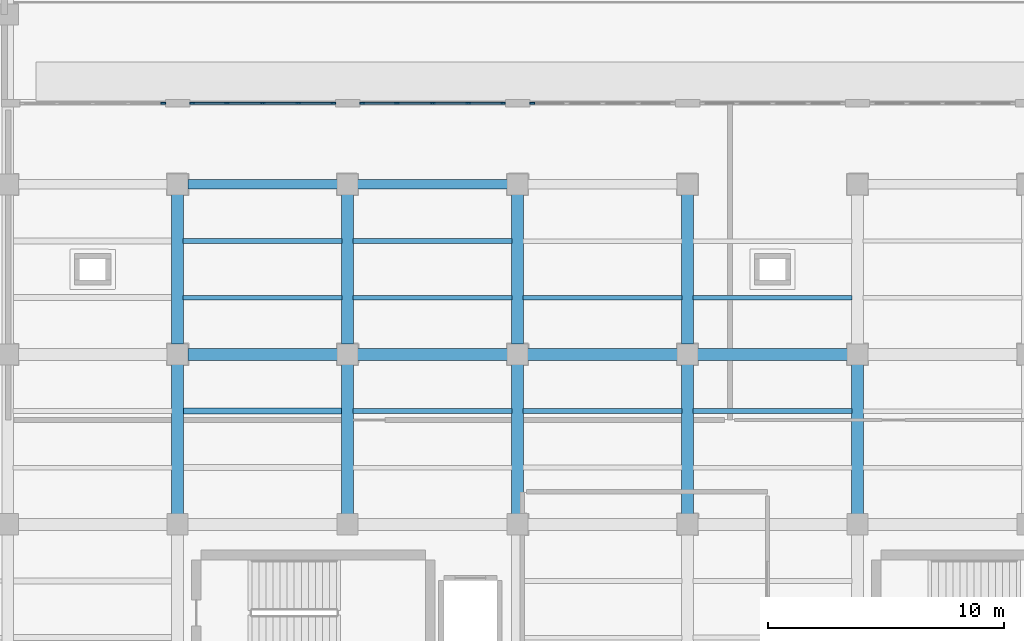
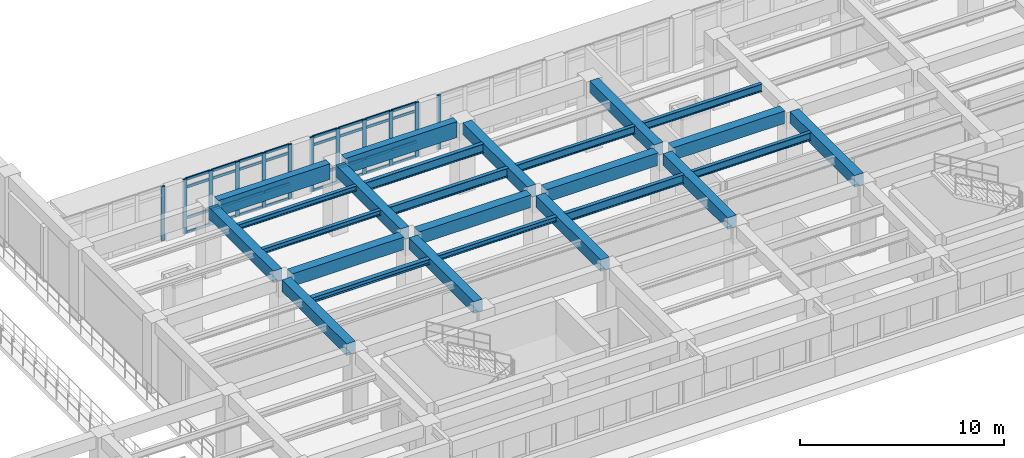
# One storey, part 13 of 69: 44 members, 25 beams, 4 elements without a shape of their own.
"""IFC4 building model written with IfcOpenShell, lengths in metres."""

from ifc_helpers import new_model, si_unit, direction, frame, origin, origin_2d, place, context, subcontext, project, spatial, rectangle, i_section, extrude, material, layer, layer_set, material_profile, profile_set, type_object, element, aggregate, save


model = new_model("IFC4")

# Units and contexts
model_context = context("Model", 3, precision=1e-05, world=origin(), true_north=direction((0.0, 1.0)))
body_context = subcontext(model_context, "Body", "Model", "MODEL_VIEW")
ifc_project = project(units=[si_unit("LENGTHUNIT", "METRE"), si_unit("AREAUNIT", "SQUARE_METRE"), si_unit("VOLUMEUNIT", "CUBIC_METRE"), si_unit("PLANEANGLEUNIT", "RADIAN"), si_unit("MASSUNIT", "GRAM", prefix="KILO")], contexts=[model_context])

# Site, building, storey
site_placement = place(None, origin())
site = spatial("IfcSite", under=ifc_project, at=site_placement, CompositionType="ELEMENT")
building_placement = place(site_placement, origin())
building = spatial("IfcBuilding", under=site, at=building_placement, Name="Solenvale Faculty of Natural Sciences", CompositionType="ELEMENT")
storey_placement = place(building_placement, frame((0.0, 0.0, 4.5)))
storey = spatial("IfcBuildingStorey", under=building, at=storey_placement, Name="L01", CompositionType="ELEMENT", Elevation=4.5)

# Beams
ifc_material_1 = material(Name="Concrete 40 MPa", Category="concrete")
ifc_material_profile_1 = material_profile(ifc_material_1, rectangle(XDim=0.5, YDim=0.699951171875, at=origin_2d()), Name="RC-BM-500x700")
ifc_profile_set_1 = profile_set([ifc_material_profile_1], Name="Concrete 40 MPa")
beam_type_1 = type_object("IfcBeamType", Name="BM-RC-500x700", PredefinedType="BEAM", material=ifc_profile_set_1)
for number, where, z_axis, x_axis, name in (
    (1, (64.800048828125, 29.22998046875, 3.8701171875), (0.0, 1.0, 0.0), (-1.0, 0.0, 0.0), "L01 Y-Girder X64.8 (28.8..36.0)"),
    (2, (64.800048828125, 36.429931640625, 3.8701171875), (0.0, 1.0, 0.0), (-1.0, 0.0, 0.0), "L01 Y-Girder X64.8 (36.0..43.2)"),
    (3, (72.0, 29.22998046875, 3.8701171875), (0.0, 1.0, 0.0), (-1.0, 0.0, 0.0), "L01 Y-Girder X72.0 (28.8..36.0)"),
    (4, (72.0, 36.429931640625, 3.8701171875), (0.0, 1.0, 0.0), (-1.0, 0.0, 0.0), "L01 Y-Girder X72.0 (36.0..43.2)"),
    (5, (79.199951171875, 29.22998046875, 3.8701171875), (0.0, 1.0, 0.0), (-1.0, 0.0, 0.0), "L01 Y-Girder X79.2 (28.8..36.0)"),
    (6, (79.199951171875, 36.429931640625, 3.8701171875), (0.0, 1.0, 0.0), (-1.0, 0.0, 0.0), "L01 Y-Girder X79.2 (36.0..43.2)"),
    (7, (86.39990234375, 29.22998046875, 3.8701171875), (0.0, 1.0, 0.0), (-1.0, 0.0, 0.0), "L01 Y-Girder X86.4 (28.8..36.0)"),
    (8, (86.39990234375, 36.429931640625, 3.8701171875), (0.0, 1.0, 0.0), (-1.0, 0.0, 0.0), "L01 Y-Girder X86.4 (36.0..43.2)"),
    (9, (93.60009765625, 29.22998046875, 3.8701171875), (0.0, 1.0, 0.0), (-1.0, 0.0, 0.0), "L01 Y-Girder X93.6 (28.8..36.0)"),
):
    element("IfcBeam", number, at=place(storey_placement, frame(where, z_axis=z_axis, x_axis=x_axis)), inside=storey, type_object=beam_type_1, Name=name, PredefinedType="BEAM", context=body_context, shape_type="SweptSolid", body=[
        extrude(rectangle(XDim=0.5, YDim=0.699951171875, at=origin_2d()), origin(), (0.0, 0.0, 1.0), 6.340087890625),
    ])
ifc_material_profile_2 = material_profile(ifc_material_1, rectangle(XDim=0.5, YDim=0.75, at=origin_2d()), Name="RC-BM-500x750")
ifc_profile_set_2 = profile_set([ifc_material_profile_2], Name="Concrete 40 MPa")
beam_type_2 = type_object("IfcBeamType", Name="BM-RC-500x750", PredefinedType="BEAM", material=ifc_profile_set_2)
for number, where, z_axis, x_axis, name in (
    (10, (65.22998046875, 36.0, 3.844970703125), (1.0, 0.0, 0.0), (0.0, 1.0, 0.0), "L01 X-Girder Y36.0 (64.8..72.0)"),
    (11, (72.429931640625, 36.0, 3.844970703125), (1.0, 0.0, 0.0), (0.0, 1.0, 0.0), "L01 X-Girder Y36.0 (72.0..79.2)"),
    (12, (79.6298828125, 36.0, 3.844970703125), (1.0, 0.0, 0.0), (0.0, 1.0, 0.0), "L01 X-Girder Y36.0 (79.2..86.4)"),
):
    element("IfcBeam", number, at=place(storey_placement, frame(where, z_axis=z_axis, x_axis=x_axis)), inside=storey, type_object=beam_type_2, Name=name, PredefinedType="BEAM", context=body_context, shape_type="SweptSolid", body=[
        extrude(rectangle(XDim=0.5, YDim=0.75, at=origin_2d()), origin(), (0.0, 0.0, 1.0), 6.340087890625),
    ])
beam_1_placement = place(storey_placement, frame((86.830078125, 36.0, 3.844970703125), z_axis=(1.0, 0.0, 0.0), x_axis=(0.0, 1.0, 0.0)))
element("IfcBeam", 13, at=beam_1_placement, inside=storey, type_object=beam_type_2, Name="L01 X-Girder Y36.0 (86.4..93.6)", PredefinedType="BEAM", context=body_context, shape_type="SweptSolid", body=[
    extrude(rectangle(XDim=0.5, YDim=0.75, at=origin_2d()), origin(), (0.0, 0.0, 1.0), 6.33984375),
])
ifc_material_2 = material(Name="Architectural bronze concrete 40 MPa", Category="concrete")
ifc_material_profile_3 = material_profile(ifc_material_2, rectangle(XDim=0.39990234375, YDim=0.949951171875, at=origin_2d()), Name="RC-SPN-400x950")
ifc_profile_set_3 = profile_set([ifc_material_profile_3], Name="Architectural bronze concrete 40 MPa")
beam_type_3 = type_object("IfcBeamType", Name="BM-SPN-BRZ-950", PredefinedType="SPANDREL", material=ifc_profile_set_3)
for number, where, z_axis, x_axis, name in (
    (14, (65.22998046875, 43.199951171875, 3.7451171875), (1.0, 0.0, 0.0), (0.0, 1.0, 0.0), "L02 Sliding-Tray North Bronze Fascia 2"),
    (15, (72.429931640625, 43.199951171875, 3.7451171875), (1.0, 0.0, 0.0), (0.0, 1.0, 0.0), "L02 Sliding-Tray North Bronze Fascia 3"),
):
    element("IfcBeam", number, at=place(storey_placement, frame(where, z_axis=z_axis, x_axis=x_axis)), inside=storey, type_object=beam_type_3, Name=name, PredefinedType="SPANDREL", context=body_context, shape_type="SweptSolid", body=[
        extrude(rectangle(XDim=0.39990234375, YDim=0.949951171875, at=origin_2d()), origin(), (0.0, 0.0, 1.0), 6.340087890625),
    ])
ifc_material_3 = material(Name="Steel S355", Category="steel")
ifc_material_profile_4 = material_profile(ifc_material_3, i_section(OverallWidth=0.202880859375, OverallDepth=0.302978515625, WebThickness=0.007568359375, FlangeThickness=0.01318359375, FilletRadius=0.014892578125, at=origin_2d()), Name="W310x60")
ifc_profile_set_4 = profile_set([ifc_material_profile_4], Name="Steel S355")
beam_type_4 = type_object("IfcBeamType", Name="BM-STL-W310x60", PredefinedType="JOIST", material=ifc_profile_set_4)
for number, where, z_axis, x_axis, name in (
    (16, (65.030029296875, 38.39990234375, 4.068603515625), (1.0, 0.0, 0.0), (0.0, 1.0, 0.0), "L01 Composite Floor Joist (10,6).1"),
    (17, (65.030029296875, 40.800048828125, 4.068603515625), (1.0, 0.0, 0.0), (0.0, 1.0, 0.0), "L01 Composite Floor Joist (10,6).2"),
    (18, (72.22998046875, 33.60009765625, 4.068603515625), (1.0, 0.0, 0.0), (0.0, 1.0, 0.0), "L01 Composite Floor Joist (11,5).2"),
):
    element("IfcBeam", number, at=place(storey_placement, frame(where, z_axis=z_axis, x_axis=x_axis)), inside=storey, type_object=beam_type_4, Name=name, PredefinedType="JOIST", context=body_context, shape_type="SweptSolid", body=[
        extrude(i_section(OverallWidth=0.202880859375, OverallDepth=0.302978515625, WebThickness=0.007568359375, FlangeThickness=0.01318359375, FilletRadius=0.014892578125, at=origin_2d()), origin(), (0.0, 0.0, 1.0), 6.739990234375),
    ])
ifc_material_profile_5 = material_profile(ifc_material_3, i_section(OverallWidth=0.25390625, OverallDepth=0.305908203125, WebThickness=0.0087890625, FlangeThickness=0.0146484375, FilletRadius=0.014892578125, at=origin_2d()), Name="W310x79")
ifc_profile_set_5 = profile_set([ifc_material_profile_5], Name="Steel S355")
beam_type_5 = type_object("IfcBeamType", Name="BM-STL-W310x79", PredefinedType="JOIST", material=ifc_profile_set_5)
beam_2_placement = place(storey_placement, frame((65.030029296875, 33.60009765625, 4.06689453125), z_axis=(1.0, 0.0, 0.0), x_axis=(0.0, 1.0, 0.0)))
element("IfcBeam", 19, at=beam_2_placement, inside=storey, type_object=beam_type_5, Name="L01 Composite Floor Joist (10,5).2", PredefinedType="JOIST", context=body_context, shape_type="SweptSolid", body=[
    extrude(i_section(OverallWidth=0.25390625, OverallDepth=0.305908203125, WebThickness=0.0087890625, FlangeThickness=0.0146484375, FilletRadius=0.014892578125, at=origin_2d()), origin(), (0.0, 0.0, 1.0), 6.739990234375),
])
ifc_material_profile_6 = material_profile(ifc_material_3, i_section(OverallWidth=0.194091796875, OverallDepth=0.468994140625, WebThickness=0.0126953125, FlangeThickness=0.0205078125, FilletRadius=0.01806640625, at=origin_2d()), Name="W460x106")
ifc_profile_set_6 = profile_set([ifc_material_profile_6], Name="Steel S355")
beam_type_6 = type_object("IfcBeamType", Name="BM-STL-W460x106", PredefinedType="JOIST", material=ifc_profile_set_6)
beam_3_placement = place(storey_placement, frame((79.429931640625, 38.39990234375, 3.985595703125), z_axis=(1.0, 0.0, 0.0), x_axis=(0.0, 1.0, 0.0)))
element("IfcBeam", 20, at=beam_3_placement, inside=storey, type_object=beam_type_6, Name="L01 Composite Floor Joist (12,6).1", PredefinedType="JOIST", context=body_context, shape_type="SweptSolid", body=[
    extrude(i_section(OverallWidth=0.194091796875, OverallDepth=0.468994140625, WebThickness=0.0126953125, FlangeThickness=0.0205078125, FilletRadius=0.01806640625, at=origin_2d()), origin(), (0.0, 0.0, 1.0), 6.739990234375),
])
beam_4_placement = place(storey_placement, frame((86.6298828125, 33.60009765625, 3.985595703125), z_axis=(1.0, 0.0, 0.0), x_axis=(0.0, 1.0, 0.0)))
element("IfcBeam", 21, at=beam_4_placement, inside=storey, type_object=beam_type_6, Name="L01 Composite Floor Joist (13,5).2", PredefinedType="JOIST", context=body_context, shape_type="SweptSolid", body=[
    extrude(i_section(OverallWidth=0.194091796875, OverallDepth=0.468994140625, WebThickness=0.0126953125, FlangeThickness=0.0205078125, FilletRadius=0.01806640625, at=origin_2d()), origin(), (0.0, 0.0, 1.0), 6.740234375),
])
ifc_material_profile_7 = material_profile(ifc_material_3, i_section(OverallWidth=0.19091796875, OverallDepth=0.4599609375, WebThickness=0.010009765625, FlangeThickness=0.01611328125, FilletRadius=0.01806640625, at=origin_2d()), Name="W460x82")
ifc_profile_set_7 = profile_set([ifc_material_profile_7], Name="Steel S355")
beam_type_7 = type_object("IfcBeamType", Name="BM-STL-W460x82", PredefinedType="JOIST", material=ifc_profile_set_7)
beam_5_placement = place(storey_placement, frame((86.6298828125, 38.39990234375, 3.989990234375), z_axis=(1.0, 0.0, 0.0), x_axis=(0.0, 1.0, 0.0)))
element("IfcBeam", 22, at=beam_5_placement, inside=storey, type_object=beam_type_7, Name="L01 Composite Floor Joist (13,6).1", PredefinedType="JOIST", context=body_context, shape_type="SweptSolid", body=[
    extrude(i_section(OverallWidth=0.19091796875, OverallDepth=0.4599609375, WebThickness=0.010009765625, FlangeThickness=0.01611328125, FilletRadius=0.01806640625, at=origin_2d()), origin(), (0.0, 0.0, 1.0), 6.740234375),
])
ifc_material_profile_8 = material_profile(ifc_material_3, i_section(OverallWidth=0.208984375, OverallDepth=0.532958984375, WebThickness=0.01025390625, FlangeThickness=0.015625, FilletRadius=0.01904296875, at=origin_2d()), Name="W530x92")
ifc_profile_set_8 = profile_set([ifc_material_profile_8], Name="Steel S355")
beam_type_8 = type_object("IfcBeamType", Name="BM-STL-W530x92", PredefinedType="JOIST", material=ifc_profile_set_8)
for number, where, z_axis, x_axis, name in (
    (23, (72.22998046875, 38.39990234375, 3.95361328125), (1.0, 0.0, 0.0), (0.0, 1.0, 0.0), "L01 Composite Floor Joist (11,6).1"),
    (24, (72.22998046875, 40.800048828125, 3.95361328125), (1.0, 0.0, 0.0), (0.0, 1.0, 0.0), "L01 Composite Floor Joist (11,6).2"),
    (25, (79.429931640625, 33.60009765625, 3.95361328125), (1.0, 0.0, 0.0), (0.0, 1.0, 0.0), "L01 Composite Floor Joist (12,5).2"),
):
    element("IfcBeam", number, at=place(storey_placement, frame(where, z_axis=z_axis, x_axis=x_axis)), inside=storey, type_object=beam_type_8, Name=name, PredefinedType="JOIST", context=body_context, shape_type="SweptSolid", body=[
        extrude(i_section(OverallWidth=0.208984375, OverallDepth=0.532958984375, WebThickness=0.01025390625, FlangeThickness=0.015625, FilletRadius=0.01904296875, at=origin_2d()), origin(), (0.0, 0.0, 1.0), 6.739990234375),
    ])

# Curtain wall, member
ifc_material_4 = material(Name="Anodised bronze aluminium", Category="aluminium")
ifc_layer = layer(ifc_material_4, 0.18994140625)
ifc_layer_set = layer_set([ifc_layer], Name="Anodised bronze aluminium")
curtain_wall_type = type_object("IfcCurtainWallType", Name="CW-TRAY-REC", PredefinedType="USERDEFINED", material=ifc_layer_set)
curtain_wall_1_placement = place(storey_placement, origin())
curtain_wall_1 = element("IfcCurtainWall", 26, at=curtain_wall_1_placement, inside=storey, type_object=curtain_wall_type, Name="L01 Curtain Wall CW-L01-P1-E11-B5", ObjectType="UNITISED CURTAIN WALL", PredefinedType="USERDEFINED")
ifc_material_profile_9 = material_profile(ifc_material_4, rectangle(XDim=0.074951171875, YDim=0.2099609375, at=origin_2d()), Name="ALU-MUL-75x210")
ifc_profile_set_9 = profile_set([ifc_material_profile_9], Name="Anodised bronze aluminium")
member_type_1 = type_object("IfcMemberType", Name="CWM-ALU-75x210", PredefinedType="MULLION", material=ifc_profile_set_9)
member_1_placement = place(storey_placement, frame((79.8173828125, 46.637451171875, 0.0), z_axis=(0.0, 0.0, 1.0), x_axis=(0.0, -1.0, 0.0)))
member_1 = element("IfcMember", 27, at=member_1_placement, type_object=member_type_1, Name="CW-02 mullion 5", PredefinedType="MULLION", context=body_context, shape_type="SweptSolid", body=[
    extrude(rectangle(XDim=0.074951171875, YDim=0.2099609375, at=origin_2d()), origin(), (0.0, 0.0, 1.0), 3.260009765625),
])
aggregate(curtain_wall_1, [member_1])

# Curtain wall, members
curtain_wall_2_placement = place(storey_placement, origin())
curtain_wall_2 = element("IfcCurtainWall", 28, at=curtain_wall_2_placement, inside=storey, type_object=curtain_wall_type, Name="L01 Curtain Wall CW-L01-P1-E11-B6", ObjectType="UNITISED CURTAIN WALL", PredefinedType="USERDEFINED")
member_2_placement = place(storey_placement, frame((78.58251953125, 46.637451171875, 0.0), z_axis=(0.0, 0.0, 1.0), x_axis=(0.0, -1.0, 0.0)))
member_2 = element("IfcMember", 29, at=member_2_placement, type_object=member_type_1, Name="CW-02 mullion 1", PredefinedType="MULLION", context=body_context, shape_type="SweptSolid", body=[
    extrude(rectangle(XDim=0.074951171875, YDim=0.2099609375, at=origin_2d()), origin(), (0.0, 0.0, 1.0), 3.260009765625),
])
member_3_placement = place(storey_placement, frame((77.110107421875, 46.637451171875, 0.0), z_axis=(0.0, 0.0, 1.0), x_axis=(0.0, -1.0, 0.0)))
member_3 = element("IfcMember", 30, at=member_3_placement, type_object=member_type_1, Name="CW-02 mullion 2", PredefinedType="MULLION", context=body_context, shape_type="SweptSolid", body=[
    extrude(rectangle(XDim=0.074951171875, YDim=0.2099609375, at=origin_2d()), origin(), (0.0, 0.0, 1.0), 3.260009765625),
])
member_4_placement = place(storey_placement, frame((75.60009765625, 46.637451171875, 0.0), z_axis=(0.0, 0.0, 1.0), x_axis=(0.0, -1.0, 0.0)))
member_4 = element("IfcMember", 31, at=member_4_placement, type_object=member_type_1, Name="CW-02 mullion 3", PredefinedType="MULLION", context=body_context, shape_type="SweptSolid", body=[
    extrude(rectangle(XDim=0.074951171875, YDim=0.2099609375, at=origin_2d()), origin(), (0.0, 0.0, 1.0), 3.260009765625),
])
member_5_placement = place(storey_placement, frame((74.090087890625, 46.637451171875, 0.0), z_axis=(0.0, 0.0, 1.0), x_axis=(0.0, -1.0, 0.0)))
member_5 = element("IfcMember", 32, at=member_5_placement, type_object=member_type_1, Name="CW-02 mullion 4", PredefinedType="MULLION", context=body_context, shape_type="SweptSolid", body=[
    extrude(rectangle(XDim=0.074951171875, YDim=0.2099609375, at=origin_2d()), origin(), (0.0, 0.0, 1.0), 3.260009765625),
])
member_6_placement = place(storey_placement, frame((72.617431640625, 46.637451171875, 0.0), z_axis=(0.0, 0.0, 1.0), x_axis=(0.0, -1.0, 0.0)))
member_6 = element("IfcMember", 33, at=member_6_placement, type_object=member_type_1, Name="CW-02 mullion 5", PredefinedType="MULLION", context=body_context, shape_type="SweptSolid", body=[
    extrude(rectangle(XDim=0.074951171875, YDim=0.2099609375, at=origin_2d()), origin(), (0.0, 0.0, 1.0), 3.260009765625),
])

curtain_wall_3_placement = place(storey_placement, origin())
curtain_wall_3 = element("IfcCurtainWall", 34, at=curtain_wall_3_placement, inside=storey, type_object=curtain_wall_type, Name="L01 Curtain Wall CW-L01-P1-E11-B7", ObjectType="UNITISED CURTAIN WALL", PredefinedType="USERDEFINED")
member_7_placement = place(storey_placement, frame((71.382568359375, 46.637451171875, 0.0), z_axis=(0.0, 0.0, 1.0), x_axis=(0.0, -1.0, 0.0)))
member_7 = element("IfcMember", 35, at=member_7_placement, type_object=member_type_1, Name="CW-02 mullion 1", PredefinedType="MULLION", context=body_context, shape_type="SweptSolid", body=[
    extrude(rectangle(XDim=0.074951171875, YDim=0.2099609375, at=origin_2d()), origin(), (0.0, 0.0, 1.0), 3.260009765625),
])
member_8_placement = place(storey_placement, frame((69.909912109375, 46.637451171875, 0.0), z_axis=(0.0, 0.0, 1.0), x_axis=(0.0, -1.0, 0.0)))
member_8 = element("IfcMember", 36, at=member_8_placement, type_object=member_type_1, Name="CW-02 mullion 2", PredefinedType="MULLION", context=body_context, shape_type="SweptSolid", body=[
    extrude(rectangle(XDim=0.074951171875, YDim=0.2099609375, at=origin_2d()), origin(), (0.0, 0.0, 1.0), 3.260009765625),
])
member_9_placement = place(storey_placement, frame((68.39990234375, 46.637451171875, 0.0), z_axis=(0.0, 0.0, 1.0), x_axis=(0.0, -1.0, 0.0)))
member_9 = element("IfcMember", 37, at=member_9_placement, type_object=member_type_1, Name="CW-02 mullion 3", PredefinedType="MULLION", context=body_context, shape_type="SweptSolid", body=[
    extrude(rectangle(XDim=0.074951171875, YDim=0.2099609375, at=origin_2d()), origin(), (0.0, 0.0, 1.0), 3.260009765625),
])
member_10_placement = place(storey_placement, frame((66.889892578125, 46.637451171875, 0.0), z_axis=(0.0, 0.0, 1.0), x_axis=(0.0, -1.0, 0.0)))
member_10 = element("IfcMember", 38, at=member_10_placement, type_object=member_type_1, Name="CW-02 mullion 4", PredefinedType="MULLION", context=body_context, shape_type="SweptSolid", body=[
    extrude(rectangle(XDim=0.074951171875, YDim=0.2099609375, at=origin_2d()), origin(), (0.0, 0.0, 1.0), 3.260009765625),
])
member_11_placement = place(storey_placement, frame((65.41748046875, 46.637451171875, 0.0), z_axis=(0.0, 0.0, 1.0), x_axis=(0.0, -1.0, 0.0)))
member_11 = element("IfcMember", 39, at=member_11_placement, type_object=member_type_1, Name="CW-02 mullion 5", PredefinedType="MULLION", context=body_context, shape_type="SweptSolid", body=[
    extrude(rectangle(XDim=0.074951171875, YDim=0.2099609375, at=origin_2d()), origin(), (0.0, 0.0, 1.0), 3.260009765625),
])

# Curtain wall, member
curtain_wall_4_placement = place(storey_placement, origin())
curtain_wall_4 = element("IfcCurtainWall", 40, at=curtain_wall_4_placement, inside=storey, type_object=curtain_wall_type, Name="L01 Curtain Wall CW-L01-P1-E11-B8", ObjectType="UNITISED CURTAIN WALL", PredefinedType="USERDEFINED")
member_12_placement = place(storey_placement, frame((64.1826171875, 46.637451171875, 0.0), z_axis=(0.0, 0.0, 1.0), x_axis=(0.0, -1.0, 0.0)))
member_12 = element("IfcMember", 41, at=member_12_placement, type_object=member_type_1, Name="CW-02 mullion 1", PredefinedType="MULLION", context=body_context, shape_type="SweptSolid", body=[
    extrude(rectangle(XDim=0.074951171875, YDim=0.2099609375, at=origin_2d()), origin(), (0.0, 0.0, 1.0), 3.260009765625),
])
aggregate(curtain_wall_4, [member_12])

# Member
ifc_material_profile_10 = material_profile(ifc_material_4, rectangle(XDim=0.074951171875, YDim=0.155029296875, at=origin_2d()), Name="ALU-TRN-75x155")
ifc_profile_set_10 = profile_set([ifc_material_profile_10], Name="Anodised bronze aluminium")
member_type_2 = type_object("IfcMemberType", Name="CWT-ALU-75x155", PredefinedType="USERDEFINED", material=ifc_profile_set_10)
member_13_placement = place(storey_placement, frame((78.544921875, 46.637451171875, 0.03759765625), z_axis=(-1.0, 0.0, 0.0), x_axis=(0.0, -1.0, 0.0)))
member_13 = element("IfcMember", 42, at=member_13_placement, type_object=member_type_2, Name="CW-02 transom 1.1", ObjectType="TRANSOM", PredefinedType="USERDEFINED", context=body_context, shape_type="SweptSolid", body=[
    extrude(rectangle(XDim=0.074951171875, YDim=0.155029296875, at=origin_2d()), origin(), (0.0, 0.0, 1.0), 1.3974609375),
])

member_14_placement = place(storey_placement, frame((78.544921875, 46.637451171875, 0.89990234375), z_axis=(-1.0, 0.0, 0.0), x_axis=(0.0, -1.0, 0.0)))
member_14 = element("IfcMember", 43, at=member_14_placement, type_object=member_type_2, Name="CW-02 transom 1.2", ObjectType="TRANSOM", PredefinedType="USERDEFINED", context=body_context, shape_type="SweptSolid", body=[
    extrude(rectangle(XDim=0.074951171875, YDim=0.155029296875, at=origin_2d()), origin(), (0.0, 0.0, 1.0), 1.3974609375),
])

member_15_placement = place(storey_placement, frame((78.544921875, 46.637451171875, 2.760009765625), z_axis=(-1.0, 0.0, 0.0), x_axis=(0.0, -1.0, 0.0)))
member_15 = element("IfcMember", 44, at=member_15_placement, type_object=member_type_2, Name="CW-02 transom 1.3", ObjectType="TRANSOM", PredefinedType="USERDEFINED", context=body_context, shape_type="SweptSolid", body=[
    extrude(rectangle(XDim=0.074951171875, YDim=0.155029296875, at=origin_2d()), origin(), (0.0, 0.0, 1.0), 1.3974609375),
])

member_16_placement = place(storey_placement, frame((78.544921875, 46.637451171875, 3.222412109375), z_axis=(-1.0, 0.0, 0.0), x_axis=(0.0, -1.0, 0.0)))
member_16 = element("IfcMember", 45, at=member_16_placement, type_object=member_type_2, Name="CW-02 transom 1.4", ObjectType="TRANSOM", PredefinedType="USERDEFINED", context=body_context, shape_type="SweptSolid", body=[
    extrude(rectangle(XDim=0.074951171875, YDim=0.155029296875, at=origin_2d()), origin(), (0.0, 0.0, 1.0), 1.3974609375),
])

member_17_placement = place(storey_placement, frame((77.072509765625, 46.637451171875, 0.03759765625), z_axis=(-1.0, 0.0, 0.0), x_axis=(0.0, -1.0, 0.0)))
member_17 = element("IfcMember", 46, at=member_17_placement, type_object=member_type_2, Name="CW-02 transom 2.1", ObjectType="TRANSOM", PredefinedType="USERDEFINED", context=body_context, shape_type="SweptSolid", body=[
    extrude(rectangle(XDim=0.074951171875, YDim=0.155029296875, at=origin_2d()), origin(), (0.0, 0.0, 1.0), 1.43505859375),
])

member_18_placement = place(storey_placement, frame((77.072509765625, 46.637451171875, 0.89990234375), z_axis=(-1.0, 0.0, 0.0), x_axis=(0.0, -1.0, 0.0)))
member_18 = element("IfcMember", 47, at=member_18_placement, type_object=member_type_2, Name="CW-02 transom 2.2", ObjectType="TRANSOM", PredefinedType="USERDEFINED", context=body_context, shape_type="SweptSolid", body=[
    extrude(rectangle(XDim=0.074951171875, YDim=0.155029296875, at=origin_2d()), origin(), (0.0, 0.0, 1.0), 1.43505859375),
])

member_19_placement = place(storey_placement, frame((77.072509765625, 46.637451171875, 2.760009765625), z_axis=(-1.0, 0.0, 0.0), x_axis=(0.0, -1.0, 0.0)))
member_19 = element("IfcMember", 48, at=member_19_placement, type_object=member_type_2, Name="CW-02 transom 2.3", ObjectType="TRANSOM", PredefinedType="USERDEFINED", context=body_context, shape_type="SweptSolid", body=[
    extrude(rectangle(XDim=0.074951171875, YDim=0.155029296875, at=origin_2d()), origin(), (0.0, 0.0, 1.0), 1.43505859375),
])

member_20_placement = place(storey_placement, frame((77.072509765625, 46.637451171875, 3.222412109375), z_axis=(-1.0, 0.0, 0.0), x_axis=(0.0, -1.0, 0.0)))
member_20 = element("IfcMember", 49, at=member_20_placement, type_object=member_type_2, Name="CW-02 transom 2.4", ObjectType="TRANSOM", PredefinedType="USERDEFINED", context=body_context, shape_type="SweptSolid", body=[
    extrude(rectangle(XDim=0.074951171875, YDim=0.155029296875, at=origin_2d()), origin(), (0.0, 0.0, 1.0), 1.43505859375),
])

member_21_placement = place(storey_placement, frame((75.5625, 46.637451171875, 0.03759765625), z_axis=(-1.0, 0.0, 0.0), x_axis=(0.0, -1.0, 0.0)))
member_21 = element("IfcMember", 50, at=member_21_placement, type_object=member_type_2, Name="CW-02 transom 3.1", ObjectType="TRANSOM", PredefinedType="USERDEFINED", context=body_context, shape_type="SweptSolid", body=[
    extrude(rectangle(XDim=0.074951171875, YDim=0.155029296875, at=origin_2d()), origin(), (0.0, 0.0, 1.0), 1.43505859375),
])

member_22_placement = place(storey_placement, frame((75.5625, 46.637451171875, 0.89990234375), z_axis=(-1.0, 0.0, 0.0), x_axis=(0.0, -1.0, 0.0)))
member_22 = element("IfcMember", 51, at=member_22_placement, type_object=member_type_2, Name="CW-02 transom 3.2", ObjectType="TRANSOM", PredefinedType="USERDEFINED", context=body_context, shape_type="SweptSolid", body=[
    extrude(rectangle(XDim=0.074951171875, YDim=0.155029296875, at=origin_2d()), origin(), (0.0, 0.0, 1.0), 1.43505859375),
])

member_23_placement = place(storey_placement, frame((75.5625, 46.637451171875, 2.760009765625), z_axis=(-1.0, 0.0, 0.0), x_axis=(0.0, -1.0, 0.0)))
member_23 = element("IfcMember", 52, at=member_23_placement, type_object=member_type_2, Name="CW-02 transom 3.3", ObjectType="TRANSOM", PredefinedType="USERDEFINED", context=body_context, shape_type="SweptSolid", body=[
    extrude(rectangle(XDim=0.074951171875, YDim=0.155029296875, at=origin_2d()), origin(), (0.0, 0.0, 1.0), 1.43505859375),
])

member_24_placement = place(storey_placement, frame((75.5625, 46.637451171875, 3.222412109375), z_axis=(-1.0, 0.0, 0.0), x_axis=(0.0, -1.0, 0.0)))
member_24 = element("IfcMember", 53, at=member_24_placement, type_object=member_type_2, Name="CW-02 transom 3.4", ObjectType="TRANSOM", PredefinedType="USERDEFINED", context=body_context, shape_type="SweptSolid", body=[
    extrude(rectangle(XDim=0.074951171875, YDim=0.155029296875, at=origin_2d()), origin(), (0.0, 0.0, 1.0), 1.43505859375),
])

member_25_placement = place(storey_placement, frame((74.052490234375, 46.637451171875, 0.03759765625), z_axis=(-1.0, 0.0, 0.0), x_axis=(0.0, -1.0, 0.0)))
member_25 = element("IfcMember", 54, at=member_25_placement, type_object=member_type_2, Name="CW-02 transom 4.1", ObjectType="TRANSOM", PredefinedType="USERDEFINED", context=body_context, shape_type="SweptSolid", body=[
    extrude(rectangle(XDim=0.074951171875, YDim=0.155029296875, at=origin_2d()), origin(), (0.0, 0.0, 1.0), 1.3974609375),
])

member_26_placement = place(storey_placement, frame((74.052490234375, 46.637451171875, 0.89990234375), z_axis=(-1.0, 0.0, 0.0), x_axis=(0.0, -1.0, 0.0)))
member_26 = element("IfcMember", 55, at=member_26_placement, type_object=member_type_2, Name="CW-02 transom 4.2", ObjectType="TRANSOM", PredefinedType="USERDEFINED", context=body_context, shape_type="SweptSolid", body=[
    extrude(rectangle(XDim=0.074951171875, YDim=0.155029296875, at=origin_2d()), origin(), (0.0, 0.0, 1.0), 1.3974609375),
])

member_27_placement = place(storey_placement, frame((74.052490234375, 46.637451171875, 2.760009765625), z_axis=(-1.0, 0.0, 0.0), x_axis=(0.0, -1.0, 0.0)))
member_27 = element("IfcMember", 56, at=member_27_placement, type_object=member_type_2, Name="CW-02 transom 4.3", ObjectType="TRANSOM", PredefinedType="USERDEFINED", context=body_context, shape_type="SweptSolid", body=[
    extrude(rectangle(XDim=0.074951171875, YDim=0.155029296875, at=origin_2d()), origin(), (0.0, 0.0, 1.0), 1.3974609375),
])

member_28_placement = place(storey_placement, frame((74.052490234375, 46.637451171875, 3.222412109375), z_axis=(-1.0, 0.0, 0.0), x_axis=(0.0, -1.0, 0.0)))
member_28 = element("IfcMember", 57, at=member_28_placement, type_object=member_type_2, Name="CW-02 transom 4.4", ObjectType="TRANSOM", PredefinedType="USERDEFINED", context=body_context, shape_type="SweptSolid", body=[
    extrude(rectangle(XDim=0.074951171875, YDim=0.155029296875, at=origin_2d()), origin(), (0.0, 0.0, 1.0), 1.3974609375),
])

aggregate(curtain_wall_2, [member_2, member_3, member_4, member_5, member_6, member_13, member_14, member_15, member_16, member_17, member_18, member_19, member_20, member_21, member_22, member_23, member_24, member_25, member_26, member_27, member_28])

member_29_placement = place(storey_placement, frame((71.344970703125, 46.637451171875, 0.03759765625), z_axis=(-1.0, 0.0, 0.0), x_axis=(0.0, -1.0, 0.0)))
member_29 = element("IfcMember", 58, at=member_29_placement, type_object=member_type_2, Name="CW-02 transom 1.1", ObjectType="TRANSOM", PredefinedType="USERDEFINED", context=body_context, shape_type="SweptSolid", body=[
    extrude(rectangle(XDim=0.074951171875, YDim=0.155029296875, at=origin_2d()), origin(), (0.0, 0.0, 1.0), 1.3974609375),
])

member_30_placement = place(storey_placement, frame((71.344970703125, 46.637451171875, 0.89990234375), z_axis=(-1.0, 0.0, 0.0), x_axis=(0.0, -1.0, 0.0)))
member_30 = element("IfcMember", 59, at=member_30_placement, type_object=member_type_2, Name="CW-02 transom 1.2", ObjectType="TRANSOM", PredefinedType="USERDEFINED", context=body_context, shape_type="SweptSolid", body=[
    extrude(rectangle(XDim=0.074951171875, YDim=0.155029296875, at=origin_2d()), origin(), (0.0, 0.0, 1.0), 1.3974609375),
])

member_31_placement = place(storey_placement, frame((71.344970703125, 46.637451171875, 2.760009765625), z_axis=(-1.0, 0.0, 0.0), x_axis=(0.0, -1.0, 0.0)))
member_31 = element("IfcMember", 60, at=member_31_placement, type_object=member_type_2, Name="CW-02 transom 1.3", ObjectType="TRANSOM", PredefinedType="USERDEFINED", context=body_context, shape_type="SweptSolid", body=[
    extrude(rectangle(XDim=0.074951171875, YDim=0.155029296875, at=origin_2d()), origin(), (0.0, 0.0, 1.0), 1.3974609375),
])

member_32_placement = place(storey_placement, frame((71.344970703125, 46.637451171875, 3.222412109375), z_axis=(-1.0, 0.0, 0.0), x_axis=(0.0, -1.0, 0.0)))
member_32 = element("IfcMember", 61, at=member_32_placement, type_object=member_type_2, Name="CW-02 transom 1.4", ObjectType="TRANSOM", PredefinedType="USERDEFINED", context=body_context, shape_type="SweptSolid", body=[
    extrude(rectangle(XDim=0.074951171875, YDim=0.155029296875, at=origin_2d()), origin(), (0.0, 0.0, 1.0), 1.3974609375),
])

member_33_placement = place(storey_placement, frame((69.87255859375, 46.637451171875, 0.03759765625), z_axis=(-1.0, 0.0, 0.0), x_axis=(0.0, -1.0, 0.0)))
member_33 = element("IfcMember", 62, at=member_33_placement, type_object=member_type_2, Name="CW-02 transom 2.1", ObjectType="TRANSOM", PredefinedType="USERDEFINED", context=body_context, shape_type="SweptSolid", body=[
    extrude(rectangle(XDim=0.074951171875, YDim=0.155029296875, at=origin_2d()), origin(), (0.0, 0.0, 1.0), 1.43505859375),
])

member_34_placement = place(storey_placement, frame((69.87255859375, 46.637451171875, 0.89990234375), z_axis=(-1.0, 0.0, 0.0), x_axis=(0.0, -1.0, 0.0)))
member_34 = element("IfcMember", 63, at=member_34_placement, type_object=member_type_2, Name="CW-02 transom 2.2", ObjectType="TRANSOM", PredefinedType="USERDEFINED", context=body_context, shape_type="SweptSolid", body=[
    extrude(rectangle(XDim=0.074951171875, YDim=0.155029296875, at=origin_2d()), origin(), (0.0, 0.0, 1.0), 1.43505859375),
])

member_35_placement = place(storey_placement, frame((69.87255859375, 46.637451171875, 2.760009765625), z_axis=(-1.0, 0.0, 0.0), x_axis=(0.0, -1.0, 0.0)))
member_35 = element("IfcMember", 64, at=member_35_placement, type_object=member_type_2, Name="CW-02 transom 2.3", ObjectType="TRANSOM", PredefinedType="USERDEFINED", context=body_context, shape_type="SweptSolid", body=[
    extrude(rectangle(XDim=0.074951171875, YDim=0.155029296875, at=origin_2d()), origin(), (0.0, 0.0, 1.0), 1.43505859375),
])

member_36_placement = place(storey_placement, frame((69.87255859375, 46.637451171875, 3.222412109375), z_axis=(-1.0, 0.0, 0.0), x_axis=(0.0, -1.0, 0.0)))
member_36 = element("IfcMember", 65, at=member_36_placement, type_object=member_type_2, Name="CW-02 transom 2.4", ObjectType="TRANSOM", PredefinedType="USERDEFINED", context=body_context, shape_type="SweptSolid", body=[
    extrude(rectangle(XDim=0.074951171875, YDim=0.155029296875, at=origin_2d()), origin(), (0.0, 0.0, 1.0), 1.43505859375),
])

member_37_placement = place(storey_placement, frame((68.362548828125, 46.637451171875, 0.03759765625), z_axis=(-1.0, 0.0, 0.0), x_axis=(0.0, -1.0, 0.0)))
member_37 = element("IfcMember", 66, at=member_37_placement, type_object=member_type_2, Name="CW-02 transom 3.1", ObjectType="TRANSOM", PredefinedType="USERDEFINED", context=body_context, shape_type="SweptSolid", body=[
    extrude(rectangle(XDim=0.074951171875, YDim=0.155029296875, at=origin_2d()), origin(), (0.0, 0.0, 1.0), 1.43505859375),
])

member_38_placement = place(storey_placement, frame((68.362548828125, 46.637451171875, 0.89990234375), z_axis=(-1.0, 0.0, 0.0), x_axis=(0.0, -1.0, 0.0)))
member_38 = element("IfcMember", 67, at=member_38_placement, type_object=member_type_2, Name="CW-02 transom 3.2", ObjectType="TRANSOM", PredefinedType="USERDEFINED", context=body_context, shape_type="SweptSolid", body=[
    extrude(rectangle(XDim=0.074951171875, YDim=0.155029296875, at=origin_2d()), origin(), (0.0, 0.0, 1.0), 1.43505859375),
])

member_39_placement = place(storey_placement, frame((68.362548828125, 46.637451171875, 2.760009765625), z_axis=(-1.0, 0.0, 0.0), x_axis=(0.0, -1.0, 0.0)))
member_39 = element("IfcMember", 68, at=member_39_placement, type_object=member_type_2, Name="CW-02 transom 3.3", ObjectType="TRANSOM", PredefinedType="USERDEFINED", context=body_context, shape_type="SweptSolid", body=[
    extrude(rectangle(XDim=0.074951171875, YDim=0.155029296875, at=origin_2d()), origin(), (0.0, 0.0, 1.0), 1.43505859375),
])

member_40_placement = place(storey_placement, frame((68.362548828125, 46.637451171875, 3.222412109375), z_axis=(-1.0, 0.0, 0.0), x_axis=(0.0, -1.0, 0.0)))
member_40 = element("IfcMember", 69, at=member_40_placement, type_object=member_type_2, Name="CW-02 transom 3.4", ObjectType="TRANSOM", PredefinedType="USERDEFINED", context=body_context, shape_type="SweptSolid", body=[
    extrude(rectangle(XDim=0.074951171875, YDim=0.155029296875, at=origin_2d()), origin(), (0.0, 0.0, 1.0), 1.43505859375),
])

member_41_placement = place(storey_placement, frame((66.8525390625, 46.637451171875, 0.03759765625), z_axis=(-1.0, 0.0, 0.0), x_axis=(0.0, -1.0, 0.0)))
member_41 = element("IfcMember", 70, at=member_41_placement, type_object=member_type_2, Name="CW-02 transom 4.1", ObjectType="TRANSOM", PredefinedType="USERDEFINED", context=body_context, shape_type="SweptSolid", body=[
    extrude(rectangle(XDim=0.074951171875, YDim=0.155029296875, at=origin_2d()), origin(), (0.0, 0.0, 1.0), 1.3974609375),
])

member_42_placement = place(storey_placement, frame((66.8525390625, 46.637451171875, 0.89990234375), z_axis=(-1.0, 0.0, 0.0), x_axis=(0.0, -1.0, 0.0)))
member_42 = element("IfcMember", 71, at=member_42_placement, type_object=member_type_2, Name="CW-02 transom 4.2", ObjectType="TRANSOM", PredefinedType="USERDEFINED", context=body_context, shape_type="SweptSolid", body=[
    extrude(rectangle(XDim=0.074951171875, YDim=0.155029296875, at=origin_2d()), origin(), (0.0, 0.0, 1.0), 1.3974609375),
])

member_43_placement = place(storey_placement, frame((66.8525390625, 46.637451171875, 2.760009765625), z_axis=(-1.0, 0.0, 0.0), x_axis=(0.0, -1.0, 0.0)))
member_43 = element("IfcMember", 72, at=member_43_placement, type_object=member_type_2, Name="CW-02 transom 4.3", ObjectType="TRANSOM", PredefinedType="USERDEFINED", context=body_context, shape_type="SweptSolid", body=[
    extrude(rectangle(XDim=0.074951171875, YDim=0.155029296875, at=origin_2d()), origin(), (0.0, 0.0, 1.0), 1.3974609375),
])

member_44_placement = place(storey_placement, frame((66.8525390625, 46.637451171875, 3.222412109375), z_axis=(-1.0, 0.0, 0.0), x_axis=(0.0, -1.0, 0.0)))
member_44 = element("IfcMember", 73, at=member_44_placement, type_object=member_type_2, Name="CW-02 transom 4.4", ObjectType="TRANSOM", PredefinedType="USERDEFINED", context=body_context, shape_type="SweptSolid", body=[
    extrude(rectangle(XDim=0.074951171875, YDim=0.155029296875, at=origin_2d()), origin(), (0.0, 0.0, 1.0), 1.3974609375),
])

aggregate(curtain_wall_3, [member_7, member_8, member_9, member_10, member_11, member_29, member_30, member_31, member_32, member_33, member_34, member_35, member_36, member_37, member_38, member_39, member_40, member_41, member_42, member_43, member_44])

save(model, "model.ifc")
